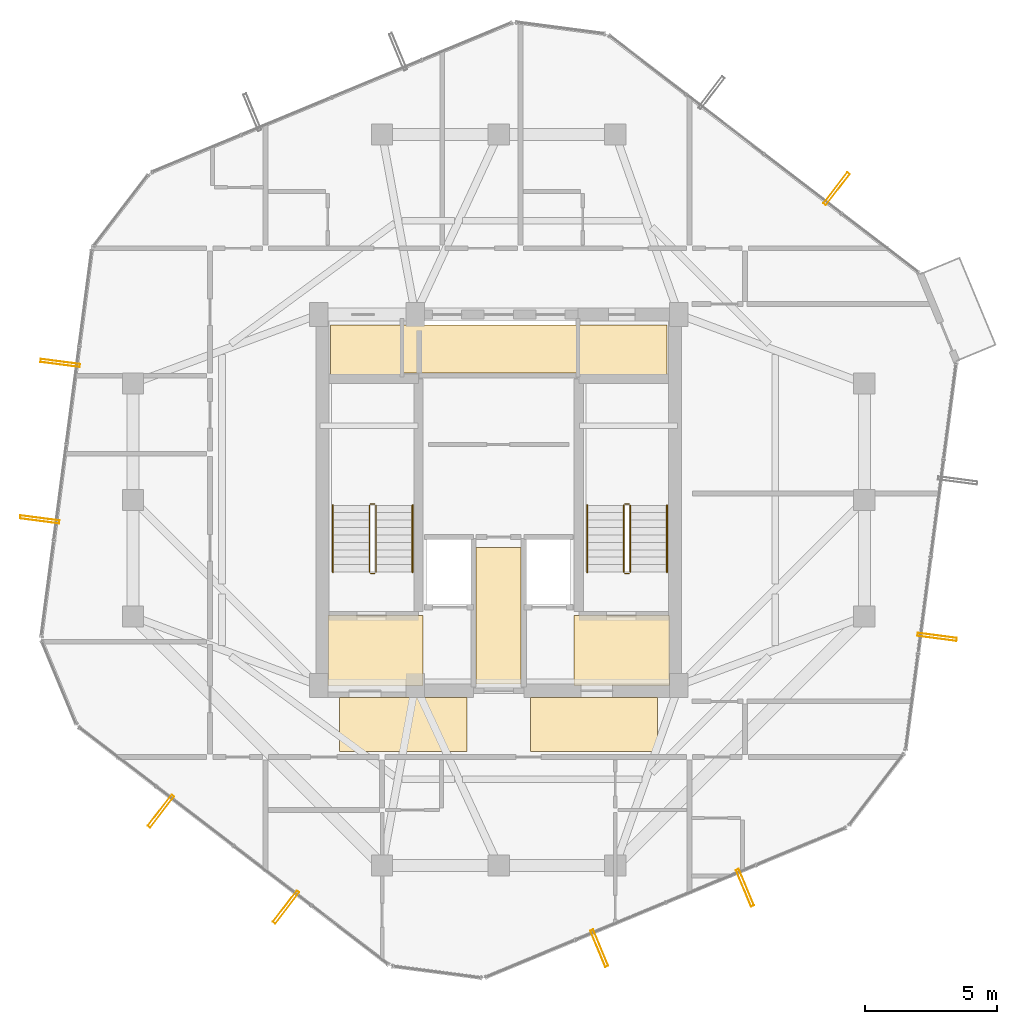
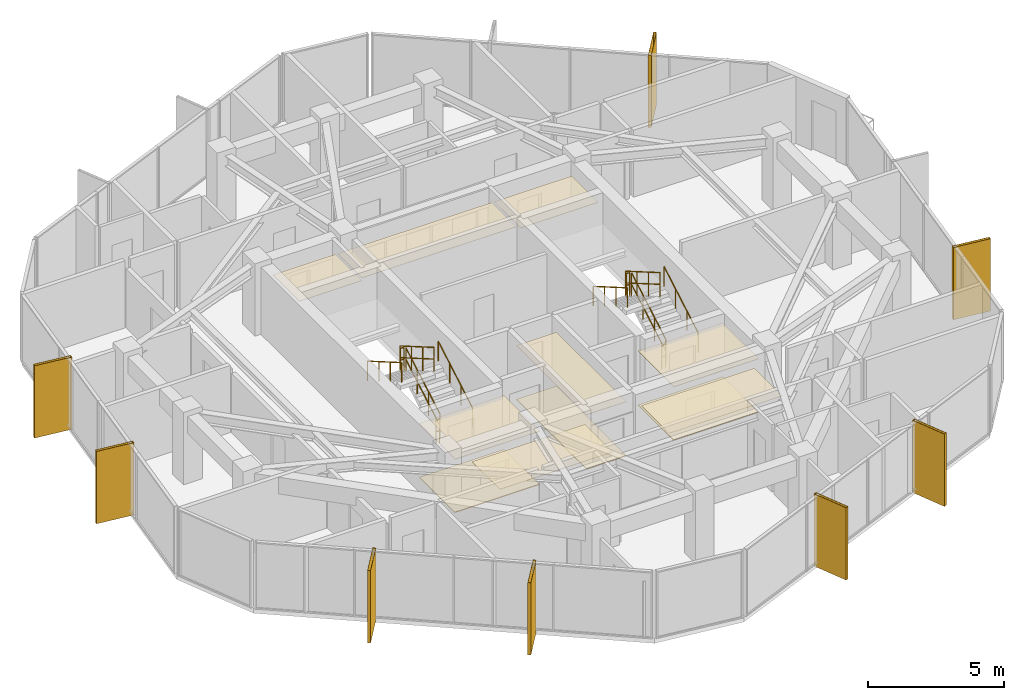
# One storey, part 30 of 31: 12 railings, 11 coverings, 8 shading devices.
"""IFC4 building model written with IfcOpenShell, lengths in metres."""

from ifc_helpers import new_model, si_unit, direction, frame, origin, origin_2d, place, context, subcontext, project, spatial, polyline, hollow_rectangle, circle, outline, extrude, material, layer, layer_set, material_profile, profile_set, type_object, element, save


model = new_model("IFC4")

# Units and contexts
model_context = context("Model", 3, precision=1e-05, world=origin(), true_north=direction((0.0, 1.0)))
body_context = subcontext(model_context, "Body", "Model", "MODEL_VIEW")
ifc_project = project(units=[si_unit("LENGTHUNIT", "METRE"), si_unit("AREAUNIT", "SQUARE_METRE"), si_unit("VOLUMEUNIT", "CUBIC_METRE"), si_unit("PLANEANGLEUNIT", "RADIAN"), si_unit("MASSUNIT", "GRAM", prefix="KILO")], contexts=[model_context])

# Site, building, storey
site_placement = place(None, origin())
site = spatial("IfcSite", under=ifc_project, at=site_placement, CompositionType="ELEMENT")
building_placement = place(site_placement, origin())
building = spatial("IfcBuilding", under=site, at=building_placement, Name="Veraguas Prism Commons", CompositionType="ELEMENT")
storey_placement = place(building_placement, frame((0.0, 0.0, 233.300048828125)))
storey = spatial("IfcBuildingStorey", under=building, at=storey_placement, Name="L66", CompositionType="ELEMENT", Elevation=233.300048828125)

# Shading devices
ifc_material_1 = material(Name="Anodised aluminium EN AW-6063 T6", Category="aluminium")
ifc_material_profile = material_profile(ifc_material_1, hollow_rectangle(XDim=0.1201171875, YDim=1.489990234375, WallThickness=0.006103515625, at=origin_2d()), Name="FIN120X1490X6")
ifc_profile_set = profile_set([ifc_material_profile], Name="Anodised aluminium EN AW-6063 T6")
shading_device_type = type_object("IfcShadingDeviceType", Name="Deep Pale-Metal Vertical Solar Fin 120x1490", PredefinedType="USERDEFINED", material=ifc_profile_set)
for number, where, z_axis, x_axis, name in (
    (1, (36.751220703125, 35.74658203125, -0.215087890625), (0.0, 0.0, 1.0), (-0.793779204094, 0.60820603018, 0.0), "Vertical Pale-Metal Solar Fin L66-F1A"),
    (2, (7.45166015625, 29.169677734375, -0.215087890625), (0.0, 0.0, 1.0), (-0.129837462492, -0.991535291018, 0.0), "Vertical Pale-Metal Solar Fin L66-F3A"),
    (3, (6.678466796875, 23.265380859375, -0.215087890625), (0.0, 0.0, 1.0), (-0.129837462492, -0.991535291018, 0.0), "Vertical Pale-Metal Solar Fin L66-F3B"),
    (4, (11.248779296875, 12.25341796875, -0.215087890625), (0.0, 0.0, 1.0), (0.793779204094, -0.60820603018, 0.0), "Vertical Pale-Metal Solar Fin L66-F4A"),
    (5, (15.975341796875, 8.6318359375, -0.215087890625), (0.0, 0.0, 1.0), (0.793779204094, -0.60820603018, 0.0), "Vertical Pale-Metal Solar Fin L66-F4B"),
    (6, (27.797119140625, 7.083984375, -0.215087890625), (0.0, 0.0, 1.0), (0.923614151043, 0.383323492617, 0.0), "Vertical Pale-Metal Solar Fin L66-F5A"),
    (7, (33.296875, 9.366455078125, -0.215087890625), (0.0, 0.0, 1.0), (0.923614151043, 0.383323492617, 0.0), "Vertical Pale-Metal Solar Fin L66-F5B"),
    (8, (40.54833984375, 18.830322265625, -0.215087890625), (0.0, 0.0, 1.0), (0.129837462492, 0.991535291018, 0.0), "Vertical Pale-Metal Solar Fin L66-F6A"),
):
    element("IfcShadingDevice", number, at=place(storey_placement, frame(where, z_axis=z_axis, x_axis=x_axis)), inside=storey, type_object=shading_device_type, Name=name, ObjectType="FIN", PredefinedType="USERDEFINED", context=body_context, shape_type="SweptSolid", body=[
        extrude(hollow_rectangle(XDim=0.1201171875, YDim=1.489990234375, WallThickness=0.006103515625, at=origin_2d()), origin(), (0.0, 0.0, 1.0), 3.25),
    ])

# Coverings
ifc_material_2 = material(Name="Acoustic gypsum board")
ifc_layer_1 = layer(ifc_material_2, 0.02490234375, Name="Perforated Acoustic Ceiling Tile 25")
ifc_layer_set_1 = layer_set([ifc_layer_1], Name="Acoustic gypsum board")
covering_type_1 = type_object("IfcCoveringType", Name="Perforated Acoustic Ceiling Tile 25", PredefinedType="USERDEFINED", material=ifc_layer_set_1)
covering_1_placement = place(storey_placement, frame((0.0, 0.0, 2.425048828125)))
element("IfcCovering", 9, at=covering_1_placement, inside=storey, type_object=covering_type_1, Name="East Lobby Acoustic Ceiling L66", ObjectType="ACOUSTIC CEILING", PredefinedType="USERDEFINED", context=body_context, shape_type="SweptSolid", body=[
    extrude(outline(polyline([(26.85009765625, 17.0), (30.449951171875, 17.0), (30.449951171875, 19.64990234375), (26.85009765625, 19.64990234375), (26.85009765625, 17.0)])), origin(), (0.0, 0.0, 1.0), 0.02490234375),
])
ifc_material_3 = material(Name="Terrazzo stone finish", Category="masonry")
ifc_layer_2 = layer(ifc_material_3, 0.030029296875, Name="Polished Terrazzo Floor Finish 30", Category="masonry")
ifc_layer_set_2 = layer_set([ifc_layer_2], Name="Terrazzo stone finish")
covering_type_2 = type_object("IfcCoveringType", Name="Polished Terrazzo Floor Finish 30", PredefinedType="FLOORING", material=ifc_layer_set_2)
covering_2_placement = place(storey_placement, origin())
element("IfcCovering", 10, at=covering_2_placement, inside=storey, type_object=covering_type_2, Name="Terrazzo Lobby Flooring L66", PredefinedType="FLOORING", context=body_context, shape_type="SweptSolid", body=[
    extrude(outline(polyline([(23.14990234375, 17.050048828125), (24.85009765625, 17.050048828125), (24.85009765625, 22.199951171875), (23.14990234375, 22.199951171875), (23.14990234375, 17.050048828125)])), origin(), (0.0, 0.0, 1.0), 0.030029296875),
])
covering_3_placement = place(storey_placement, origin())
element("IfcCovering", 11, at=covering_3_placement, inside=storey, type_object=covering_type_2, Name="West FF Lobby Terrazzo Flooring L66", PredefinedType="FLOORING", context=body_context, shape_type="SweptSolid", body=[
    extrude(outline(polyline([(17.550048828125, 17.050048828125), (21.14990234375, 17.050048828125), (21.14990234375, 19.64990234375), (17.550048828125, 19.64990234375), (17.550048828125, 17.050048828125)])), origin(), (0.0, 0.0, 1.0), 0.030029296875),
])
covering_4_placement = place(storey_placement, origin())
element("IfcCovering", 12, at=covering_4_placement, inside=storey, type_object=covering_type_2, Name="East FF Lobby Terrazzo Flooring L66", PredefinedType="FLOORING", context=body_context, shape_type="SweptSolid", body=[
    extrude(outline(polyline([(26.85009765625, 17.050048828125), (30.449951171875, 17.050048828125), (30.449951171875, 19.64990234375), (26.85009765625, 19.64990234375), (26.85009765625, 17.050048828125)])), origin(), (0.0, 0.0, 1.0), 0.030029296875),
])

# Railings
ifc_material_4 = material(Name="Stainless steel AISI 316", Category="steel")
railing_type_1 = type_object("IfcRailingType", Name="Stair and Ramp Stainless Handrail 900", PredefinedType="HANDRAIL", material=ifc_material_4)
railing_1_placement = place(storey_placement, frame((20.75, 21.280029296875, 0.162353515625)))
element("IfcRailing", 13, at=railing_1_placement, inside=storey, type_object=railing_type_1, Name="Stair Handrail ST-01 L66-1", PredefinedType="HANDRAIL", context=body_context, shape_type="SweptSolid", body=[
    extrude(circle(Radius=0.02392578125, at=origin_2d()), frame((0.0, 0.0, 0.8759765625), z_axis=(0.0, 0.864876961378, 0.501983905795), x_axis=(-1.0, 0.0, 0.0)), (0.0, 0.0, 1.0), 2.913818359375),
    extrude(circle(Radius=0.02099609375, at=origin_2d()), origin(), (0.0, 0.0, 1.0), 0.851806640625),
    extrude(circle(Radius=0.02099609375, at=origin_2d()), frame((0.0, 0.840087890625, 0.487548828125)), (0.0, 0.0, 1.0), 0.851806640625),
    extrude(circle(Radius=0.02099609375, at=origin_2d()), frame((0.0, 1.679931640625, 0.97509765625)), (0.0, 0.0, 1.0), 0.851806640625),
    extrude(circle(Radius=0.02099609375, at=origin_2d()), frame((0.0, 2.52001953125, 1.462646484375)), (0.0, 0.0, 1.0), 0.851806640625),
])
railing_2_placement = place(storey_placement, frame((17.739990234375, 23.800048828125, 1.787353515625)))
element("IfcRailing", 14, at=railing_2_placement, inside=storey, type_object=railing_type_1, Name="Stair Handrail ST-01 L66-2", PredefinedType="HANDRAIL", context=body_context, shape_type="SweptSolid", body=[
    extrude(circle(Radius=0.02392578125, at=origin_2d()), frame((0.0, 0.0, 0.8759765625), z_axis=(0.0, -0.864876961378, 0.501983905795), x_axis=(1.0, 0.0, 0.0)), (0.0, 0.0, 1.0), 2.913818359375),
    extrude(circle(Radius=0.02099609375, at=origin_2d()), origin(), (0.0, 0.0, 1.0), 0.851806640625),
    extrude(circle(Radius=0.02099609375, at=origin_2d()), frame((0.0, -0.840087890625, 0.487548828125)), (0.0, 0.0, 1.0), 0.851806640625),
    extrude(circle(Radius=0.02099609375, at=origin_2d()), frame((0.0, -1.679931640625, 0.97509765625)), (0.0, 0.0, 1.0), 0.851806640625),
    extrude(circle(Radius=0.02099609375, at=origin_2d()), frame((0.0, -2.52001953125, 1.462646484375)), (0.0, 0.0, 1.0), 0.851806640625),
])
railing_3_placement = place(storey_placement, frame((30.35009765625, 21.280029296875, 0.162353515625)))
element("IfcRailing", 15, at=railing_3_placement, inside=storey, type_object=railing_type_1, Name="Stair Handrail ST-02 L66-1", PredefinedType="HANDRAIL", context=body_context, shape_type="SweptSolid", body=[
    extrude(circle(Radius=0.02392578125, at=origin_2d()), frame((0.0, 0.0, 0.8759765625), z_axis=(0.0, 0.864876961378, 0.501983905795), x_axis=(-1.0, 0.0, 0.0)), (0.0, 0.0, 1.0), 2.913818359375),
    extrude(circle(Radius=0.02099609375, at=origin_2d()), origin(), (0.0, 0.0, 1.0), 0.851806640625),
    extrude(circle(Radius=0.02099609375, at=origin_2d()), frame((0.0, 0.840087890625, 0.487548828125)), (0.0, 0.0, 1.0), 0.851806640625),
    extrude(circle(Radius=0.02099609375, at=origin_2d()), frame((0.0, 1.679931640625, 0.97509765625)), (0.0, 0.0, 1.0), 0.851806640625),
    extrude(circle(Radius=0.02099609375, at=origin_2d()), frame((0.0, 2.52001953125, 1.462646484375)), (0.0, 0.0, 1.0), 0.851806640625),
])
railing_4_placement = place(storey_placement, frame((27.340087890625, 23.800048828125, 1.787353515625)))
element("IfcRailing", 16, at=railing_4_placement, inside=storey, type_object=railing_type_1, Name="Stair Handrail ST-02 L66-2", PredefinedType="HANDRAIL", context=body_context, shape_type="SweptSolid", body=[
    extrude(circle(Radius=0.02392578125, at=origin_2d()), frame((0.0, 0.0, 0.8759765625), z_axis=(0.0, -0.864876961378, 0.501983905795), x_axis=(1.0, 0.0, 0.0)), (0.0, 0.0, 1.0), 2.913818359375),
    extrude(circle(Radius=0.02099609375, at=origin_2d()), origin(), (0.0, 0.0, 1.0), 0.851806640625),
    extrude(circle(Radius=0.02099609375, at=origin_2d()), frame((0.0, -0.840087890625, 0.487548828125)), (0.0, 0.0, 1.0), 0.851806640625),
    extrude(circle(Radius=0.02099609375, at=origin_2d()), frame((0.0, -1.679931640625, 0.97509765625)), (0.0, 0.0, 1.0), 0.851806640625),
    extrude(circle(Radius=0.02099609375, at=origin_2d()), frame((0.0, -2.52001953125, 1.462646484375)), (0.0, 0.0, 1.0), 0.851806640625),
])
railing_type_2 = type_object("IfcRailingType", Name="Stairwell Safety Guardrail 1100", PredefinedType="GUARDRAIL", material=ifc_material_4)
railing_5_placement = place(storey_placement, frame((19.3701171875, 21.280029296875, 0.162353515625)))
element("IfcRailing", 17, at=railing_5_placement, inside=storey, type_object=railing_type_2, Name="Stair Guard ST-01 L66-1", PredefinedType="GUARDRAIL", context=body_context, shape_type="SweptSolid", body=[
    extrude(circle(Radius=0.02392578125, at=origin_2d()), frame((0.0, 0.0, 1.076171875), z_axis=(0.0, 0.864876961378, 0.501983905795), x_axis=(-1.0, 0.0, 0.0)), (0.0, 0.0, 1.0), 2.913818359375),
    extrude(circle(Radius=0.02392578125, at=origin_2d()), frame((0.0, 0.0, 0.550048828125), z_axis=(0.0, 0.864876961378, 0.501983905795), x_axis=(-1.0, 0.0, 0.0)), (0.0, 0.0, 1.0), 2.913818359375),
    extrude(circle(Radius=0.02099609375, at=origin_2d()), origin(), (0.0, 0.0, 1.0), 1.052001953125),
    extrude(circle(Radius=0.02099609375, at=origin_2d()), frame((0.0, 0.840087890625, 0.487548828125)), (0.0, 0.0, 1.0), 1.052001953125),
    extrude(circle(Radius=0.02099609375, at=origin_2d()), frame((0.0, 1.679931640625, 0.97509765625)), (0.0, 0.0, 1.0), 1.052001953125),
    extrude(circle(Radius=0.02099609375, at=origin_2d()), frame((0.0, 2.52001953125, 1.462646484375)), (0.0, 0.0, 1.0), 1.052001953125),
])
railing_6_placement = place(storey_placement, frame((19.320068359375, 23.85009765625, 1.625)))
element("IfcRailing", 18, at=railing_6_placement, inside=storey, type_object=railing_type_2, Name="Stair Guard ST-01 L66-2", PredefinedType="GUARDRAIL", context=body_context, shape_type="SweptSolid", body=[
    extrude(circle(Radius=0.02392578125, at=origin_2d()), frame((0.0, 0.0, 1.076171875), z_axis=(-1.0, 0.0, 0.0), x_axis=(0.0, -1.0, 0.0)), (0.0, 0.0, 1.0), 0.150146484375),
    extrude(circle(Radius=0.02392578125, at=origin_2d()), frame((0.0, 0.0, 0.550048828125), z_axis=(-1.0, 0.0, 0.0), x_axis=(0.0, -1.0, 0.0)), (0.0, 0.0, 1.0), 0.150146484375),
    extrude(circle(Radius=0.02099609375, at=origin_2d()), origin(), (0.0, 0.0, 1.0), 1.052001953125),
    extrude(circle(Radius=0.02099609375, at=origin_2d()), frame((-0.150146484375, 0.0, 0.0)), (0.0, 0.0, 1.0), 1.052001953125),
])
railing_7_placement = place(storey_placement, frame((19.1201171875, 23.800048828125, 1.787353515625)))
element("IfcRailing", 19, at=railing_7_placement, inside=storey, type_object=railing_type_2, Name="Stair Guard ST-01 L66-3", PredefinedType="GUARDRAIL", context=body_context, shape_type="SweptSolid", body=[
    extrude(circle(Radius=0.02392578125, at=origin_2d()), frame((0.0, 0.0, 1.076171875), z_axis=(0.0, -0.864876961378, 0.501983905795), x_axis=(1.0, 0.0, 0.0)), (0.0, 0.0, 1.0), 2.913818359375),
    extrude(circle(Radius=0.02392578125, at=origin_2d()), frame((0.0, 0.0, 0.550048828125), z_axis=(0.0, -0.864876961378, 0.501983905795), x_axis=(1.0, 0.0, 0.0)), (0.0, 0.0, 1.0), 2.913818359375),
    extrude(circle(Radius=0.02099609375, at=origin_2d()), origin(), (0.0, 0.0, 1.0), 1.052001953125),
    extrude(circle(Radius=0.02099609375, at=origin_2d()), frame((0.0, -0.840087890625, 0.487548828125)), (0.0, 0.0, 1.0), 1.052001953125),
    extrude(circle(Radius=0.02099609375, at=origin_2d()), frame((0.0, -1.679931640625, 0.97509765625)), (0.0, 0.0, 1.0), 1.052001953125),
    extrude(circle(Radius=0.02099609375, at=origin_2d()), frame((0.0, -2.52001953125, 1.462646484375)), (0.0, 0.0, 1.0), 1.052001953125),
])
railing_8_placement = place(storey_placement, frame((19.320068359375, 21.22998046875, 0.0)))
element("IfcRailing", 20, at=railing_8_placement, inside=storey, type_object=railing_type_2, Name="Stair Guard ST-01 L66-4", PredefinedType="GUARDRAIL", context=body_context, shape_type="SweptSolid", body=[
    extrude(circle(Radius=0.02392578125, at=origin_2d()), frame((0.0, 0.0, 1.076171875), z_axis=(-1.0, 0.0, 0.0), x_axis=(0.0, -1.0, 0.0)), (0.0, 0.0, 1.0), 0.150146484375),
    extrude(circle(Radius=0.02392578125, at=origin_2d()), frame((0.0, 0.0, 0.550048828125), z_axis=(-1.0, 0.0, 0.0), x_axis=(0.0, -1.0, 0.0)), (0.0, 0.0, 1.0), 0.150146484375),
    extrude(circle(Radius=0.02099609375, at=origin_2d()), origin(), (0.0, 0.0, 1.0), 1.052001953125),
    extrude(circle(Radius=0.02099609375, at=origin_2d()), frame((-0.150146484375, 0.0, 0.0)), (0.0, 0.0, 1.0), 1.052001953125),
])
railing_9_placement = place(storey_placement, frame((28.969970703125, 21.280029296875, 0.162353515625)))
element("IfcRailing", 21, at=railing_9_placement, inside=storey, type_object=railing_type_2, Name="Stair Guard ST-02 L66-1", PredefinedType="GUARDRAIL", context=body_context, shape_type="SweptSolid", body=[
    extrude(circle(Radius=0.02392578125, at=origin_2d()), frame((0.0, 0.0, 1.076171875), z_axis=(0.0, 0.864876961378, 0.501983905795), x_axis=(-1.0, 0.0, 0.0)), (0.0, 0.0, 1.0), 2.913818359375),
    extrude(circle(Radius=0.02392578125, at=origin_2d()), frame((0.0, 0.0, 0.550048828125), z_axis=(0.0, 0.864876961378, 0.501983905795), x_axis=(-1.0, 0.0, 0.0)), (0.0, 0.0, 1.0), 2.913818359375),
    extrude(circle(Radius=0.02099609375, at=origin_2d()), origin(), (0.0, 0.0, 1.0), 1.052001953125),
    extrude(circle(Radius=0.02099609375, at=origin_2d()), frame((0.0, 0.840087890625, 0.487548828125)), (0.0, 0.0, 1.0), 1.052001953125),
    extrude(circle(Radius=0.02099609375, at=origin_2d()), frame((0.0, 1.679931640625, 0.97509765625)), (0.0, 0.0, 1.0), 1.052001953125),
    extrude(circle(Radius=0.02099609375, at=origin_2d()), frame((0.0, 2.52001953125, 1.462646484375)), (0.0, 0.0, 1.0), 1.052001953125),
])
railing_10_placement = place(storey_placement, frame((28.919921875, 23.85009765625, 1.625)))
element("IfcRailing", 22, at=railing_10_placement, inside=storey, type_object=railing_type_2, Name="Stair Guard ST-02 L66-2", PredefinedType="GUARDRAIL", context=body_context, shape_type="SweptSolid", body=[
    extrude(circle(Radius=0.02392578125, at=origin_2d()), frame((0.0, 0.0, 1.076171875), z_axis=(-1.0, 0.0, 0.0), x_axis=(0.0, -1.0, 0.0)), (0.0, 0.0, 1.0), 0.14990234375),
    extrude(circle(Radius=0.02392578125, at=origin_2d()), frame((0.0, 0.0, 0.550048828125), z_axis=(-1.0, 0.0, 0.0), x_axis=(0.0, -1.0, 0.0)), (0.0, 0.0, 1.0), 0.14990234375),
    extrude(circle(Radius=0.02099609375, at=origin_2d()), origin(), (0.0, 0.0, 1.0), 1.052001953125),
    extrude(circle(Radius=0.02099609375, at=origin_2d()), frame((-0.14990234375, 0.0, 0.0)), (0.0, 0.0, 1.0), 1.052001953125),
])
railing_11_placement = place(storey_placement, frame((28.719970703125, 23.800048828125, 1.787353515625)))
element("IfcRailing", 23, at=railing_11_placement, inside=storey, type_object=railing_type_2, Name="Stair Guard ST-02 L66-3", PredefinedType="GUARDRAIL", context=body_context, shape_type="SweptSolid", body=[
    extrude(circle(Radius=0.02392578125, at=origin_2d()), frame((0.0, 0.0, 1.076171875), z_axis=(0.0, -0.864876961378, 0.501983905795), x_axis=(1.0, 0.0, 0.0)), (0.0, 0.0, 1.0), 2.913818359375),
    extrude(circle(Radius=0.02392578125, at=origin_2d()), frame((0.0, 0.0, 0.550048828125), z_axis=(0.0, -0.864876961378, 0.501983905795), x_axis=(1.0, 0.0, 0.0)), (0.0, 0.0, 1.0), 2.913818359375),
    extrude(circle(Radius=0.02099609375, at=origin_2d()), origin(), (0.0, 0.0, 1.0), 1.052001953125),
    extrude(circle(Radius=0.02099609375, at=origin_2d()), frame((0.0, -0.840087890625, 0.487548828125)), (0.0, 0.0, 1.0), 1.052001953125),
    extrude(circle(Radius=0.02099609375, at=origin_2d()), frame((0.0, -1.679931640625, 0.97509765625)), (0.0, 0.0, 1.0), 1.052001953125),
    extrude(circle(Radius=0.02099609375, at=origin_2d()), frame((0.0, -2.52001953125, 1.462646484375)), (0.0, 0.0, 1.0), 1.052001953125),
])
railing_12_placement = place(storey_placement, frame((28.919921875, 21.22998046875, 0.0)))
element("IfcRailing", 24, at=railing_12_placement, inside=storey, type_object=railing_type_2, Name="Stair Guard ST-02 L66-4", PredefinedType="GUARDRAIL", context=body_context, shape_type="SweptSolid", body=[
    extrude(circle(Radius=0.02392578125, at=origin_2d()), frame((0.0, 0.0, 1.076171875), z_axis=(-1.0, 0.0, 0.0), x_axis=(0.0, -1.0, 0.0)), (0.0, 0.0, 1.0), 0.14990234375),
    extrude(circle(Radius=0.02392578125, at=origin_2d()), frame((0.0, 0.0, 0.550048828125), z_axis=(-1.0, 0.0, 0.0), x_axis=(0.0, -1.0, 0.0)), (0.0, 0.0, 1.0), 0.14990234375),
    extrude(circle(Radius=0.02099609375, at=origin_2d()), origin(), (0.0, 0.0, 1.0), 1.052001953125),
    extrude(circle(Radius=0.02099609375, at=origin_2d()), frame((-0.14990234375, 0.0, 0.0)), (0.0, 0.0, 1.0), 1.052001953125),
])

# Coverings
ifc_layer_3 = layer(ifc_material_2, 0.02001953125, Name="Suspended Gypsum Ceiling 20")
ifc_layer_set_3 = layer_set([ifc_layer_3], Name="Acoustic gypsum board")
covering_type_3 = type_object("IfcCoveringType", Name="Suspended Gypsum Ceiling 20", PredefinedType="CEILING", material=ifc_layer_set_3)
covering_5_placement = place(storey_placement, frame((0.0, 0.0, 2.429931640625)))
element("IfcCovering", 25, at=covering_5_placement, inside=storey, type_object=covering_type_3, Name="West Lobby Suspended Gypsum Ceiling L66", PredefinedType="CEILING", context=body_context, shape_type="SweptSolid", body=[
    extrude(outline(polyline([(17.550048828125, 17.0), (21.14990234375, 17.0), (21.14990234375, 19.64990234375), (17.550048828125, 19.64990234375), (17.550048828125, 17.0)])), origin(), (0.0, 0.0, 1.0), 0.02001953125),
])
covering_6_placement = place(storey_placement, frame((0.0, 0.0, 2.429931640625)))
element("IfcCovering", 26, at=covering_6_placement, inside=storey, type_object=covering_type_3, Name="Core Lobby Acoustic Ceiling L66-1", PredefinedType="CEILING", context=body_context, shape_type="SweptSolid", body=[
    extrude(outline(polyline([(18.0, 14.5), (22.800048828125, 14.5), (22.800048828125, 16.550048828125), (18.0, 16.550048828125), (18.0, 14.5)])), origin(), (0.0, 0.0, 1.0), 0.02001953125),
])
covering_7_placement = place(storey_placement, frame((0.0, 0.0, 2.429931640625)))
element("IfcCovering", 27, at=covering_7_placement, inside=storey, type_object=covering_type_3, Name="Core Lobby Acoustic Ceiling L66-2", PredefinedType="CEILING", context=body_context, shape_type="SweptSolid", body=[
    extrude(outline(polyline([(25.199951171875, 14.5), (30.0, 14.5), (30.0, 16.550048828125), (25.199951171875, 16.550048828125), (25.199951171875, 14.5)])), origin(), (0.0, 0.0, 1.0), 0.02001953125),
])
covering_8_placement = place(storey_placement, frame((0.0, 0.0, 2.429931640625)))
element("IfcCovering", 28, at=covering_8_placement, inside=storey, type_object=covering_type_3, Name="Core Lobby Acoustic Ceiling L66-3", PredefinedType="CEILING", context=body_context, shape_type="SweptSolid", body=[
    extrude(outline(polyline([(23.14990234375, 17.050048828125), (24.85009765625, 17.050048828125), (24.85009765625, 22.199951171875), (23.14990234375, 22.199951171875), (23.14990234375, 17.050048828125)])), origin(), (0.0, 0.0, 1.0), 0.02001953125),
])
covering_9_placement = place(storey_placement, frame((0.0, 0.0, 2.429931640625)))
element("IfcCovering", 29, at=covering_9_placement, inside=storey, type_object=covering_type_3, Name="Core Lobby Acoustic Ceiling L66-4", PredefinedType="CEILING", context=body_context, shape_type="SweptSolid", body=[
    extrude(outline(polyline([(17.64990234375, 28.64990234375), (20.300048828125, 28.64990234375), (20.300048828125, 30.60009765625), (17.64990234375, 30.60009765625), (17.64990234375, 28.64990234375)])), origin(), (0.0, 0.0, 1.0), 0.02001953125),
])
covering_10_placement = place(storey_placement, frame((0.0, 0.0, 2.429931640625)))
element("IfcCovering", 30, at=covering_10_placement, inside=storey, type_object=covering_type_3, Name="Core Lobby Acoustic Ceiling L66-5", PredefinedType="CEILING", context=body_context, shape_type="SweptSolid", body=[
    extrude(outline(polyline([(27.050048828125, 28.64990234375), (30.35009765625, 28.64990234375), (30.35009765625, 30.60009765625), (27.050048828125, 30.60009765625), (27.050048828125, 28.64990234375)])), origin(), (0.0, 0.0, 1.0), 0.02001953125),
])
covering_11_placement = place(storey_placement, frame((0.0, 0.0, 2.429931640625)))
element("IfcCovering", 31, at=covering_11_placement, inside=storey, type_object=covering_type_3, Name="Core Lobby Acoustic Ceiling L66-6", PredefinedType="CEILING", context=body_context, shape_type="SweptSolid", body=[
    extrude(outline(polyline([(20.39990234375, 28.800048828125), (26.949951171875, 28.800048828125), (26.949951171875, 30.60009765625), (20.39990234375, 30.60009765625), (20.39990234375, 28.800048828125)])), origin(), (0.0, 0.0, 1.0), 0.02001953125),
])

save(model, "model.ifc")
